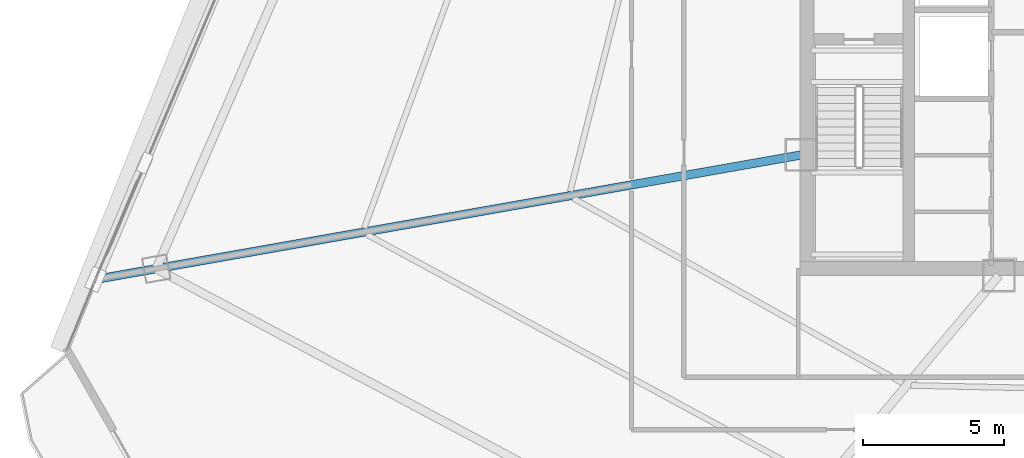
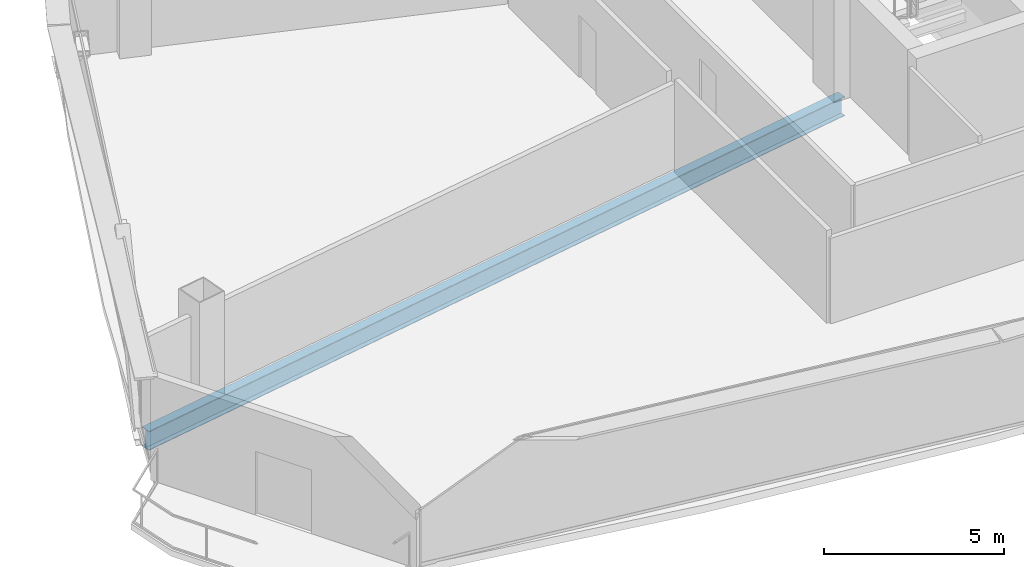
# One storey, part 5 of 37: 1 beam.
"""IFC4 building model written with IfcOpenShell, lengths in metres."""

from ifc_helpers import new_model, si_unit, direction, frame, origin, origin_2d, place, context, subcontext, project, spatial, i_section, extrude, source, transform, mapped, material, material_profile, profile_set, type_object, element, save


model = new_model("IFC4")

# Units and contexts
model_context = context("Model", 3, precision=1e-05, world=origin(), true_north=direction((0.0, 1.0)))
body_context = subcontext(model_context, "Body", "Model", "MODEL_VIEW")
ifc_project = project(units=[si_unit("LENGTHUNIT", "METRE"), si_unit("AREAUNIT", "SQUARE_METRE"), si_unit("VOLUMEUNIT", "CUBIC_METRE"), si_unit("PLANEANGLEUNIT", "RADIAN"), si_unit("MASSUNIT", "GRAM", prefix="KILO"), si_unit("THERMODYNAMICTEMPERATUREUNIT", "KELVIN"), si_unit("POWERUNIT", "WATT")], contexts=[model_context])

# Site, building, storey
site_placement = place(None, origin())
site = spatial("IfcSite", under=ifc_project, at=site_placement, CompositionType="ELEMENT")
building_placement = place(site_placement, origin())
building = spatial("IfcBuilding", under=site, at=building_placement, Name="Yunzhuo Pagoda Commons", CompositionType="ELEMENT")
storey_placement = place(building_placement, frame((0.0, 0.0, 192.360107421875)))
storey = spatial("IfcBuildingStorey", under=building, at=storey_placement, Name="L48", CompositionType="ELEMENT", Elevation=192.360107421875)

# Beam
ifc_material = material(Name="Structural steel Q355B", Category="steel")
ifc_material_profile = material_profile(ifc_material, i_section(OverallWidth=0.300048828125, OverallDepth=0.64990234375, WebThickness=0.012939453125, FlangeThickness=0.02197265625, at=origin_2d()), Name="Structural steel Q355B")
ifc_profile_set = profile_set([ifc_material_profile], Name="Structural steel Q355B")
beam_type = type_object("IfcBeamType", Name="B-RG2 Beam HN 650x300x13x22", PredefinedType="BEAM", material=ifc_profile_set)
shared_shape = source(origin(), body_context, "Body", "SweptSolid", [
    extrude(i_section(OverallWidth=0.300048828125, OverallDepth=0.64990234375, WebThickness=0.012939453125, FlangeThickness=0.02197265625, at=origin_2d()), origin(), (0.0, 0.0, 1.0), 25.183349609375),
])
beam_placement = place(storey_placement, frame((10.79931640625, 27.140380859375, -0.585205078125), z_axis=(0.984807753026, 0.173648177589, 0.0), x_axis=(-0.173648177589, 0.984807753026, 0.0)))
element("IfcBeam", 1, at=beam_placement, inside=storey, type_object=beam_type, Name="L48 radial floor girder F3C4", PredefinedType="BEAM", context=body_context, shape_type="MappedRepresentation", body=[
    mapped(shared_shape, transform((0.0, 0.0, 0.0), scale=1.0)),
])

save(model, "model.ifc")
